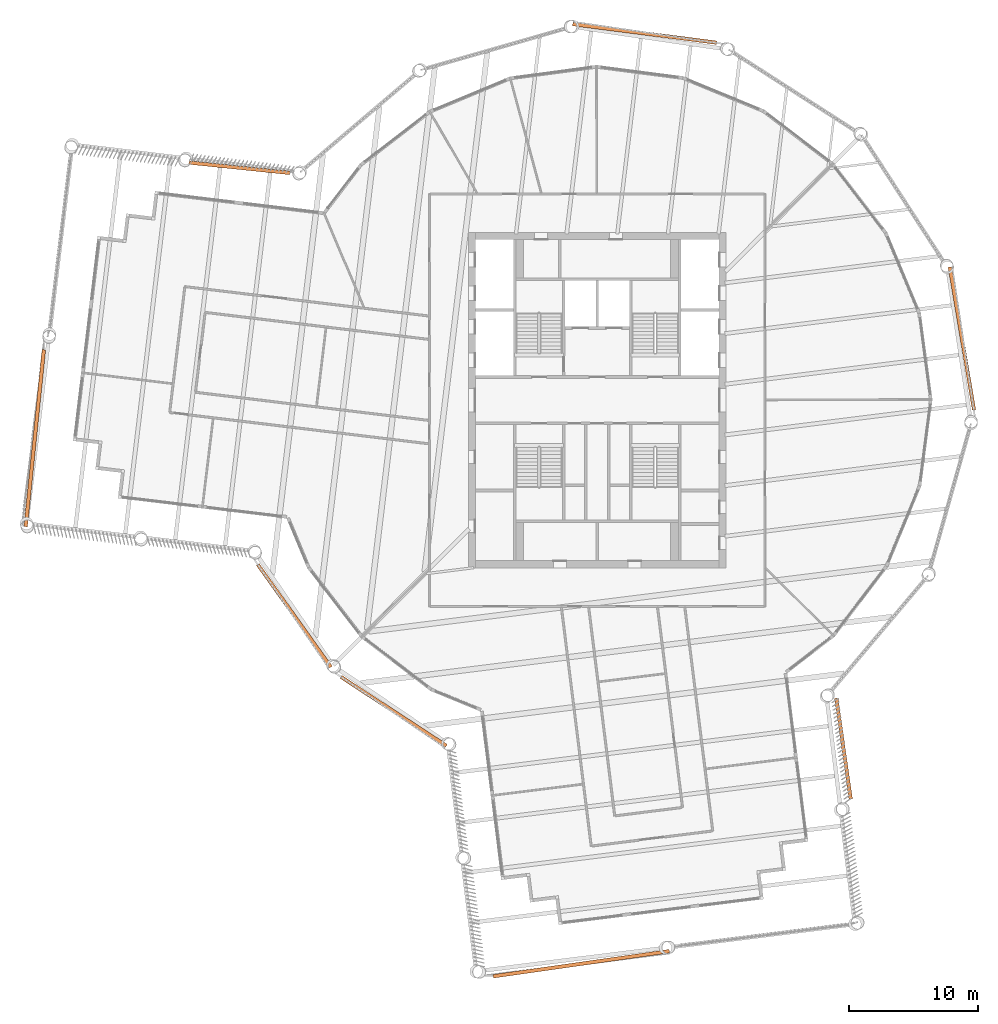
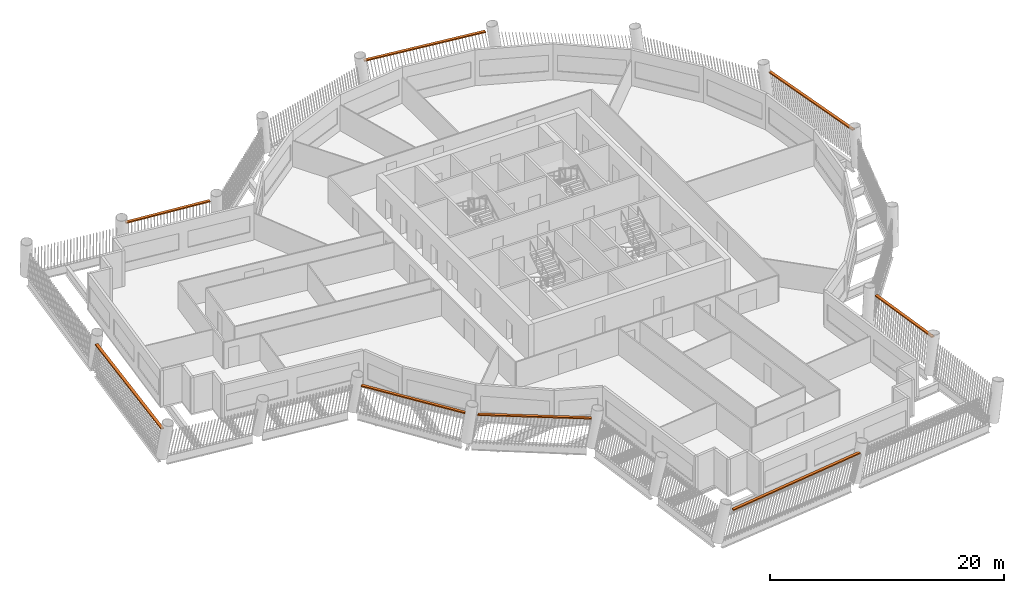
# One storey, part 14 of 14: 8 proxies.
"""IFC4 building model written with IfcOpenShell, lengths in metres."""

from ifc_helpers import new_model, si_unit, direction, frame, origin, origin_2d, place, context, subcontext, project, spatial, rectangle, extrude, material, type_object, element, save


model = new_model("IFC4")

# Units and contexts
model_context = context("Model", 3, precision=1e-05, world=origin(), true_north=direction((0.0, 1.0)))
body_context = subcontext(model_context, "Body", "Model", "MODEL_VIEW")
ifc_project = project(units=[si_unit("LENGTHUNIT", "METRE"), si_unit("AREAUNIT", "SQUARE_METRE"), si_unit("VOLUMEUNIT", "CUBIC_METRE"), si_unit("PLANEANGLEUNIT", "RADIAN"), si_unit("MASSUNIT", "GRAM", prefix="KILO")], contexts=[model_context])

# Site, building, storey
site_placement = place(None, origin())
site = spatial("IfcSite", under=ifc_project, at=site_placement, CompositionType="ELEMENT")
building_placement = place(site_placement, origin())
building = spatial("IfcBuilding", under=site, at=building_placement, Name="Tarsis Ring Headquarters", CompositionType="ELEMENT")
storey_placement = place(building_placement, frame((0.0, 0.0, 259.10009765625)))
storey = spatial("IfcBuildingStorey", under=building, at=storey_placement, Name="L60", CompositionType="ELEMENT", Elevation=259.10009765625)

# Proxies
ifc_material = material(Name="Structural steel S355", Category="steel")
building_element_proxy_type = type_object("IfcBuildingElementProxyType", Name="Screen bracket plate", PredefinedType="USERDEFINED", material=ifc_material)
proxy_1_placement = place(storey_placement, frame((-15.78955078125, -24.133544921875, 2.967529296875), z_axis=(0.0, 0.0, 1.0), x_axis=(0.836811931735, -0.547490448233, 0.0)))
element("IfcBuildingElementProxy", 1, at=proxy_1_placement, inside=storey, type_object=building_element_proxy_type, Name="Screen bracket L60-00", ObjectType="Bracket", PredefinedType="USERDEFINED", context=body_context, shape_type="SweptSolid", body=[
    extrude(rectangle(XDim=9.771728515625, YDim=0.280029296875, at=origin_2d()), origin(), (0.0, 0.0, 1.0), 0.1201171875),
])
proxy_2_placement = place(storey_placement, frame((-1.23876953125, -43.708251953125, 2.967529296875), z_axis=(0.0, 0.0, 1.0), x_axis=(0.989974420989, 0.141246754961, 0.0)))
element("IfcBuildingElementProxy", 2, at=proxy_2_placement, inside=storey, type_object=building_element_proxy_type, Name="Screen bracket L60-03", ObjectType="Bracket", PredefinedType="USERDEFINED", context=body_context, shape_type="SweptSolid", body=[
    extrude(rectangle(XDim=13.800048828125, YDim=0.280029296875, at=origin_2d()), origin(), (0.0, 0.0, 1.0), 0.1201171875),
])
proxy_3_placement = place(storey_placement, frame((19.102783203125, -27.019287109375, 2.967529296875), z_axis=(0.0, 0.0, 1.0), x_axis=(-0.141246599457, 0.989974443176, 0.0)))
element("IfcBuildingElementProxy", 3, at=proxy_3_placement, inside=storey, type_object=building_element_proxy_type, Name="Screen bracket L60-06", ObjectType="Bracket", PredefinedType="USERDEFINED", context=body_context, shape_type="SweptSolid", body=[
    extrude(rectangle(XDim=7.90234375, YDim=0.280029296875, at=origin_2d()), origin(), (0.0, 0.0, 1.0), 0.1201171875),
])
for number, where, z_axis, x_axis, name in (
    (4, (28.288330078125, 4.787841796875, 2.967529296875), (0.0, 0.0, 1.0), (-0.166876490501, 0.985977807518, 0.0), "Screen bracket L60-09"),
    (5, (3.678466796875, 28.453857421875, 2.967529296875), (0.0, 0.0, 1.0), (-0.991746832588, 0.128211622136, 0.0), "Screen bracket L60-12"),
):
    element("IfcBuildingElementProxy", number, at=place(storey_placement, frame(where, z_axis=z_axis, x_axis=x_axis)), inside=storey, type_object=building_element_proxy_type, Name=name, ObjectType="Bracket", PredefinedType="USERDEFINED", context=body_context, shape_type="SweptSolid", body=[
        extrude(rectangle(XDim=11.248779296875, YDim=0.280029296875, at=origin_2d()), origin(), (0.0, 0.0, 1.0), 0.1201171875),
    ])
proxy_4_placement = place(storey_placement, frame((-27.745361328125, 18.0322265625, 2.967529296875), z_axis=(0.0, 0.0, 1.0), x_axis=(-0.99473865576, 0.102445140132, 0.0)))
element("IfcBuildingElementProxy", 6, at=proxy_4_placement, inside=storey, type_object=building_element_proxy_type, Name="Screen bracket L60-15", ObjectType="Bracket", PredefinedType="USERDEFINED", context=body_context, shape_type="SweptSolid", body=[
    extrude(rectangle(XDim=7.90234375, YDim=0.280029296875, at=origin_2d()), origin(), (0.0, 0.0, 1.0), 0.1201171875),
])
proxy_5_placement = place(storey_placement, frame((-43.626220703125, -2.9462890625, 2.967529296875), z_axis=(0.0, 0.0, 1.0), x_axis=(-0.10244534847, -0.994738634304, 0.0)))
element("IfcBuildingElementProxy", 7, at=proxy_5_placement, inside=storey, type_object=building_element_proxy_type, Name="Screen bracket L60-18", ObjectType="Bracket", PredefinedType="USERDEFINED", context=body_context, shape_type="SweptSolid", body=[
    extrude(rectangle(XDim=13.800048828125, YDim=0.280029296875, at=origin_2d()), origin(), (0.0, 0.0, 1.0), 0.1201171875),
])
proxy_6_placement = place(storey_placement, frame((-23.498046875, -16.720703125, 2.967529296875), z_axis=(0.0, 0.0, 1.0), x_axis=(0.579779239214, -0.81477360891, 0.0)))
element("IfcBuildingElementProxy", 8, at=proxy_6_placement, inside=storey, type_object=building_element_proxy_type, Name="Screen bracket L60-21", ObjectType="Bracket", PredefinedType="USERDEFINED", context=body_context, shape_type="SweptSolid", body=[
    extrude(rectangle(XDim=9.771728515625, YDim=0.280029296875, at=origin_2d()), origin(), (0.0, 0.0, 1.0), 0.1201171875),
])

save(model, "model.ifc")
